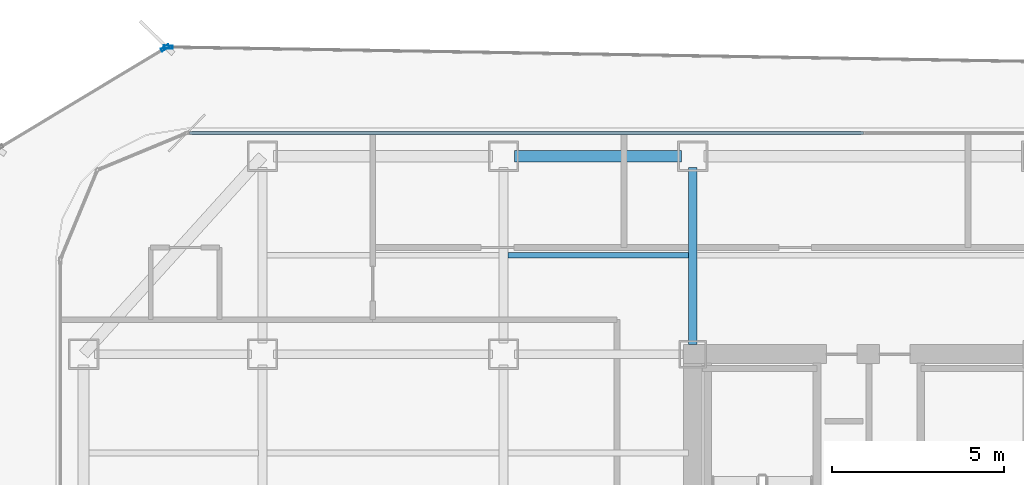
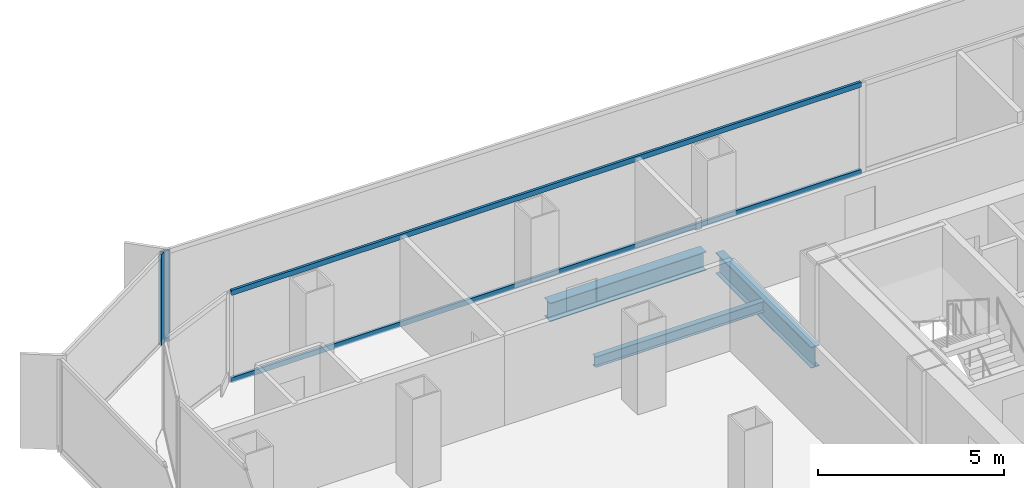
# One storey, part 11 of 21: 4 members, 3 beams, 3 elements without a shape of their own.
"""IFC4 building model written with IfcOpenShell, lengths in metres."""

from ifc_helpers import new_model, si_unit, direction, frame, origin, origin_2d, place, context, subcontext, project, spatial, hollow_rectangle, i_section, extrude, source, transform, mapped, material, layer, layer_set, material_profile, profile_set, type_object, element, aggregate, save


model = new_model("IFC4")

# Units and contexts
model_context = context("Model", 3, precision=1e-05, world=origin(), true_north=direction((0.0, 1.0)))
body_context = subcontext(model_context, "Body", "Model", "MODEL_VIEW")
ifc_project = project(units=[si_unit("LENGTHUNIT", "METRE"), si_unit("AREAUNIT", "SQUARE_METRE"), si_unit("VOLUMEUNIT", "CUBIC_METRE"), si_unit("PLANEANGLEUNIT", "RADIAN"), si_unit("MASSUNIT", "GRAM", prefix="KILO")], contexts=[model_context])

# Site, building, storey
site_placement = place(None, origin())
site = spatial("IfcSite", under=ifc_project, at=site_placement, CompositionType="ELEMENT")
building_placement = place(site_placement, origin())
building = spatial("IfcBuilding", under=site, at=building_placement, Name="Kolveth Station Tower", CompositionType="ELEMENT")
storey_placement = place(building_placement, frame((0.0, 0.0, 102.300048828125)))
storey = spatial("IfcBuildingStorey", under=building, at=storey_placement, Name="L27", CompositionType="ELEMENT", Elevation=102.300048828125)

# Beams
ifc_material_1 = material(Name="Steel S355", Category="steel")
ifc_material_profile_1 = material_profile(ifc_material_1, i_section(OverallWidth=0.323974609375, OverallDepth=0.611083984375, WebThickness=0.0126953125, FlangeThickness=0.01904296875, at=origin_2d()), Name="W610x155")
ifc_profile_set_1 = profile_set([ifc_material_profile_1], Name="Steel S355")
beam_type_1 = type_object("IfcBeamType", Name="Beam_SP2", PredefinedType="SPANDREL", material=ifc_profile_set_1)
shared_shape_1 = source(origin(), body_context, "Body", "SweptSolid", [
    extrude(i_section(OverallWidth=0.323974609375, OverallDepth=0.611083984375, WebThickness=0.0126953125, FlangeThickness=0.01904296875, at=origin_2d()), origin(), (0.0, 0.0, 1.0), 4.85986328125),
])
beam_1_placement = place(storey_placement, frame((13.320068359375, 34.5, -0.5556640625), z_axis=(1.0, 0.0, 0.0), x_axis=(0.0, 1.0, 0.0)))
element("IfcBeam", 1, at=beam_1_placement, inside=storey, type_object=beam_type_1, Name="L27 Perimeter Spandrel BM-L27-PN-2", PredefinedType="SPANDREL", context=body_context, shape_type="MappedRepresentation", body=[
    mapped(shared_shape_1, transform((0.0, 0.0, 0.0), x_axis=(1.0, 0.0, 0.0), y_axis=(0.0, 1.0, 0.0), z_axis=(0.0, 0.0, 1.0), scale=1.0)),
])
ifc_material_profile_2 = material_profile(ifc_material_1, i_section(OverallWidth=0.25390625, OverallDepth=0.68798828125, WebThickness=0.01318359375, FlangeThickness=0.02099609375, at=origin_2d()), Name="W690x152")
ifc_profile_set_2 = profile_set([ifc_material_profile_2], Name="Steel S355")
beam_type_2 = type_object("IfcBeamType", Name="Beam_B4", PredefinedType="BEAM", material=ifc_profile_set_2)
shared_shape_2 = source(origin(), body_context, "Body", "SweptSolid", [
    extrude(i_section(OverallWidth=0.25390625, OverallDepth=0.68798828125, WebThickness=0.01318359375, FlangeThickness=0.02099609375, at=origin_2d()), origin(), (0.0, 0.0, 1.0), 5.14990234375),
])
beam_2_placement = place(storey_placement, frame((18.5, 29.030029296875, -0.593994140625), z_axis=(0.0, 1.0, 0.0), x_axis=(-1.0, 0.0, 0.0)))
element("IfcBeam", 2, at=beam_2_placement, inside=storey, type_object=beam_type_2, Name="L27 Primary Girder BM-L27-GX185-6", PredefinedType="BEAM", context=body_context, shape_type="MappedRepresentation", body=[
    mapped(shared_shape_2, transform((0.0, 0.0, 0.0), x_axis=(1.0, 0.0, 0.0), y_axis=(0.0, 1.0, 0.0), z_axis=(0.0, 0.0, 1.0), scale=1.0)),
])
ifc_material_profile_3 = material_profile(ifc_material_1, i_section(OverallWidth=0.1708984375, OverallDepth=0.35205078125, WebThickness=0.0068359375, FlangeThickness=0.009765625, at=origin_2d()), Name="W360x44")
ifc_profile_set_3 = profile_set([ifc_material_profile_3], Name="Steel S355")
beam_type_3 = type_object("IfcBeamType", Name="Beam_J2", PredefinedType="JOIST", material=ifc_profile_set_3)
shared_shape_3 = source(origin(), body_context, "Body", "SweptSolid", [
    extrude(i_section(OverallWidth=0.1708984375, OverallDepth=0.35205078125, WebThickness=0.0068359375, FlangeThickness=0.009765625, at=origin_2d()), origin(), (0.0, 0.0, 1.0), 5.25),
])
beam_3_placement = place(storey_placement, frame((13.125, 31.625, -0.426025390625), z_axis=(1.0, 0.0, 0.0), x_axis=(0.0, 1.0, 0.0)))
element("IfcBeam", 3, at=beam_3_placement, inside=storey, type_object=beam_type_3, Name="L27 Secondary Joist JST-L27-3-6", PredefinedType="JOIST", context=body_context, shape_type="MappedRepresentation", body=[
    mapped(shared_shape_3, transform((0.0, 0.0, 0.0), x_axis=(1.0, 0.0, 0.0), y_axis=(0.0, 1.0, 0.0), z_axis=(0.0, 0.0, 1.0), scale=1.0)),
])

# Curtain wall, members
ifc_material_2 = material(Name="Aluminium 6063-T6 and low-E dark glass", Category="aluminium")
ifc_layer_1 = layer(ifc_material_2, 0.18994140625)
ifc_layer_set_1 = layer_set([ifc_layer_1], Name="Aluminium 6063-T6 and low-E dark glass")
curtain_wall_type_1 = type_object("IfcCurtainWallType", Name="CurtainWall_CW-Z2", PredefinedType="NOTDEFINED", material=ifc_layer_set_1)
curtain_wall_1_placement = place(storey_placement, origin())
curtain_wall_1 = element("IfcCurtainWall", 4, at=curtain_wall_1_placement, inside=storey, type_object=curtain_wall_type_1, Name="L27 Inner Thermal Curtain Wall 6", PredefinedType="NOTDEFINED")
ifc_material_3 = material(Name="Black anodized aluminium 6063-T6", Category="aluminium")
ifc_material_profile_4 = material_profile(ifc_material_3, hollow_rectangle(XDim=0.080078125, YDim=0.169921875, WallThickness=0.0048828125, at=origin_2d()), Name="ALU-80x170x5")
ifc_profile_set_4 = profile_set([ifc_material_profile_4], Name="Black anodized aluminium 6063-T6")
member_type_1 = type_object("IfcMemberType", Name="Transom_TR2", PredefinedType="USERDEFINED", material=ifc_profile_set_4)
shared_shape_4 = source(origin(), body_context, "Body", "SweptSolid", [
    extrude(hollow_rectangle(XDim=0.080078125, YDim=0.169921875, WallThickness=0.0048828125, at=origin_2d()), origin(), (0.0, 0.0, 1.0), 19.580078125),
])
member_1_placement = place(storey_placement, frame((23.4599609375, 35.179931640625, 0.0400390625), z_axis=(-1.0, 0.0, 0.0), x_axis=(0.0, -1.0, 0.0)))
member_1 = element("IfcMember", 5, at=member_1_placement, type_object=member_type_1, Name="CW-Z2 transom 2.1", ObjectType="TRANSOM", PredefinedType="USERDEFINED", context=body_context, shape_type="MappedRepresentation", body=[
    mapped(shared_shape_4, transform((0.0, 0.0, 0.0), x_axis=(1.0, 0.0, 0.0), y_axis=(0.0, 1.0, 0.0), z_axis=(0.0, 0.0, 1.0), scale=1.0)),
])
member_2_placement = place(storey_placement, frame((23.4599609375, 35.179931640625, 2.909912109375), z_axis=(-1.0, 0.0, 0.0), x_axis=(0.0, -1.0, 0.0)))
member_2 = element("IfcMember", 6, at=member_2_placement, type_object=member_type_1, Name="CW-Z2 transom 2.2", ObjectType="TRANSOM", PredefinedType="USERDEFINED", context=body_context, shape_type="MappedRepresentation", body=[
    mapped(shared_shape_4, transform((0.0, 0.0, 0.0), x_axis=(1.0, 0.0, 0.0), y_axis=(0.0, 1.0, 0.0), z_axis=(0.0, 0.0, 1.0), scale=1.0)),
])
aggregate(curtain_wall_1, [member_1, member_2])

# Curtain wall, member
ifc_material_4 = material(Name="Black anodized aluminium 6063-T6 and dark solar glass", Category="aluminium")
ifc_layer_2 = layer(ifc_material_4, 0.159912109375)
ifc_layer_set_2 = layer_set([ifc_layer_2], Name="Black anodized aluminium 6063-T6 and dark solar glass")
curtain_wall_type_2 = type_object("IfcCurtainWallType", Name="OUTER SKIN CW-OS", PredefinedType="NOTDEFINED", material=ifc_layer_set_2)
curtain_wall_2_placement = place(storey_placement, origin())
curtain_wall_2 = element("IfcCurtainWall", 7, at=curtain_wall_2_placement, inside=storey, type_object=curtain_wall_type_2, Name="L27 Outer Ventilated Skin Curtain Wall 4", PredefinedType="NOTDEFINED")
ifc_material_profile_5 = material_profile(ifc_material_3, hollow_rectangle(XDim=0.090087890625, YDim=0.260009765625, WallThickness=0.0048828125, at=origin_2d()), Name="ALU-90x260x5")
ifc_profile_set_5 = profile_set([ifc_material_profile_5], Name="Black anodized aluminium 6063-T6")
member_type_2 = type_object("IfcMemberType", Name="FIN MULLION ML-OS", PredefinedType="MULLION", material=ifc_profile_set_5)
shared_shape_5 = source(origin(), body_context, "Body", "SweptSolid", [
    extrude(hollow_rectangle(XDim=0.090087890625, YDim=0.260009765625, WallThickness=0.0048828125, at=origin_2d()), origin(), (0.0, 0.0, 1.0), 2.989990234375),
])
member_3_placement = place(storey_placement, frame((3.25390625, 37.67236328125, 0.0), z_axis=(0.0, 0.0, 1.0), x_axis=(-0.016712390947, -0.999860338242, 0.0)))
member_3 = element("IfcMember", 8, at=member_3_placement, type_object=member_type_2, Name="CW-OS mullion 2", PredefinedType="MULLION", context=body_context, shape_type="MappedRepresentation", body=[
    mapped(shared_shape_5, transform((0.0, 0.0, 0.0), x_axis=(1.0, 0.0, 0.0), y_axis=(0.0, 1.0, 0.0), z_axis=(0.0, 0.0, 1.0), scale=1.0)),
])
aggregate(curtain_wall_2, [member_3])

curtain_wall_3_placement = place(storey_placement, origin())
curtain_wall_3 = element("IfcCurtainWall", 9, at=curtain_wall_3_placement, inside=storey, type_object=curtain_wall_type_2, Name="L27 Outer Ventilated Skin Curtain Wall 5", PredefinedType="NOTDEFINED")
member_4_placement = place(storey_placement, frame((3.17041015625, 37.64990234375, 0.0), z_axis=(0.0, 0.0, 1.0), x_axis=(0.51553631481, -0.856867730815, 0.0)))
member_4 = element("IfcMember", 10, at=member_4_placement, type_object=member_type_2, Name="CW-OS mullion 1", PredefinedType="MULLION", context=body_context, shape_type="MappedRepresentation", body=[
    mapped(shared_shape_5, transform((0.0, 0.0, 0.0), x_axis=(1.0, 0.0, 0.0), y_axis=(0.0, 1.0, 0.0), z_axis=(0.0, 0.0, 1.0), scale=1.0)),
])
aggregate(curtain_wall_3, [member_4])

save(model, "model.ifc")
